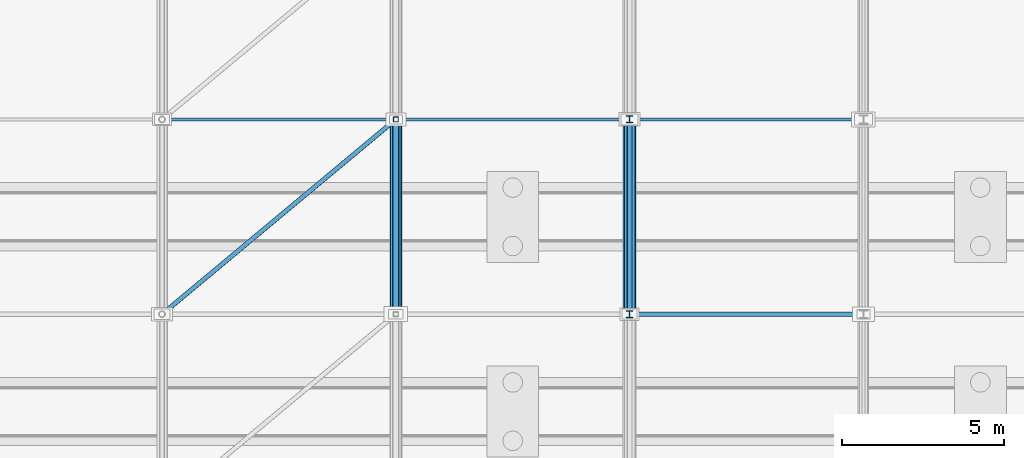
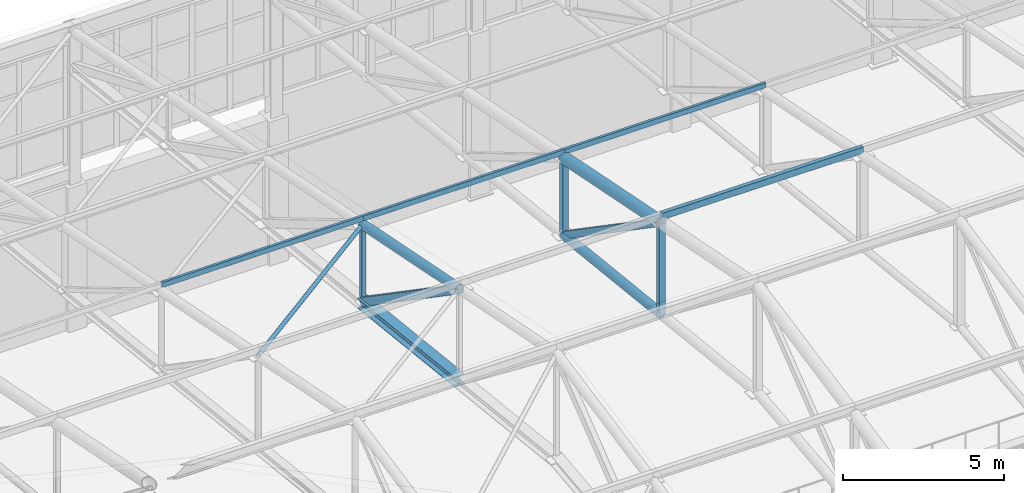
# One storey, part 150 of 293: 14 members.
"""IFC4 building model written with IfcOpenShell, lengths in metres."""

import ifcopenshell
import ifcopenshell.guid

model = None  # the IFC model being written
_history = None  # IfcOwnerHistory: only IFC2X3 demands one
_inside = {}  # id of a spatial element -> (the spatial element, [elements in it])
_under = {}  # id of a project, library or spatial element -> (it, [spatial elements below it])
_declared = {}  # id of a project -> (the project, [libraries it declares])
_typed = {}  # id of a type object -> (the type object, [elements of that type])
_made_of = {}  # id of a material, layer set ... -> (it, [elements and type objects made of it])


def new_model(schema):
    """Start an empty IFC model of exactly this schema.

    Asked for "IFC4X3", IfcOpenShell would pick the latest addendum, in which some entities
    have other attributes; the version numbers below select the first issue.
    IFC2X3 requires an IfcOwnerHistory on every rooted entity: one is made here for all.
    """
    global model, _history
    if schema == "IFC4X3":
        model = ifcopenshell.file(schema_version=(4, 3, 0, 0))
    else:
        model = ifcopenshell.file(schema=schema)
    _inside.clear()
    _under.clear()
    _declared.clear()
    _typed.clear()
    _made_of.clear()
    _history = None
    if model.schema == "IFC2X3":
        org = make("IfcOrganization", Name="unknown")
        user = make(
            "IfcPersonAndOrganization",
            ThePerson=make("IfcPerson", FamilyName="unknown"),
            TheOrganization=org,
        )
        app = make(
            "IfcApplication",
            ApplicationDeveloper=org,
            Version="unknown",
            ApplicationFullName="unknown",
            ApplicationIdentifier="unknown",
        )
        _history = make(
            "IfcOwnerHistory",
            OwningUser=user,
            OwningApplication=app,
            ChangeAction="ADDED",
            CreationDate=0,
        )
    return model


def make(cls, **values):
    """One entity of the class cls with the attributes given. An attribute that is None is left unset."""
    return model.create_entity(
        cls, **{name: value for name, value in values.items() if value is not None}
    )


def rooted(cls, **values):
    """An entity with a GlobalId (a new one), such as an element, a storey or a relation."""
    return make(cls, GlobalId=ifcopenshell.guid.new(), OwnerHistory=_history, **values)


def si_unit(unit_type, name, prefix=None):
    """IfcSIUnit, for example si_unit("LENGTHUNIT", "METRE", prefix="MILLI")."""
    return make("IfcSIUnit", UnitType=unit_type, Prefix=prefix, Name=name)


def assignment(units):
    """IfcUnitAssignment: the units of a project."""
    return None if units is None else make("IfcUnitAssignment", Units=units)


def point(xyz):
    """IfcCartesianPoint."""
    return None if xyz is None else make("IfcCartesianPoint", Coordinates=xyz)


def direction(xyz):
    """IfcDirection."""
    return None if xyz is None else make("IfcDirection", DirectionRatios=xyz)


def frame(location, z_axis=None, x_axis=None):
    """IfcAxis2Placement3D, a coordinate frame: its origin and axes. An axis left out is left unset."""
    return make(
        "IfcAxis2Placement3D",
        Location=point(location),
        Axis=direction(z_axis),
        RefDirection=direction(x_axis),
    )


def frame_2d(location, x_axis=None):
    """IfcAxis2Placement2D, a coordinate frame in the plane: its origin and x axis."""
    return make(
        "IfcAxis2Placement2D", Location=point(location), RefDirection=direction(x_axis)
    )


def origin():
    """The frame at (0, 0, 0) with its axes left unset."""
    return frame((0.0, 0.0, 0.0))


def origin_2d():
    """The frame at (0, 0) in the plane with its x axis left unset."""
    return frame_2d((0.0, 0.0))


def place(relative_to, where):
    """IfcLocalPlacement: puts the frame where relative to a parent placement (None: the world)."""
    return make(
        "IfcLocalPlacement", PlacementRelTo=relative_to, RelativePlacement=where
    )


def context(
    kind, dimensions, precision=None, world=None, true_north=None, identifier=None
):
    """IfcGeometricRepresentationContext, for example the 3D "Model" context."""
    return make(
        "IfcGeometricRepresentationContext",
        ContextIdentifier=identifier,
        ContextType=kind,
        CoordinateSpaceDimension=dimensions,
        Precision=precision,
        WorldCoordinateSystem=world,
        TrueNorth=true_north,
    )


def subcontext(parent, identifier, kind, view, scale=None):
    """IfcGeometricRepresentationSubContext, for example "Body" below "Model"."""
    return make(
        "IfcGeometricRepresentationSubContext",
        ContextIdentifier=identifier,
        ContextType=kind,
        ParentContext=parent,
        TargetScale=scale,
        TargetView=view,
    )


def project(units=None, contexts=None):
    """IfcProject with its units and contexts."""
    return rooted(
        "IfcProject",
        Name="project",
        RepresentationContexts=contexts,
        UnitsInContext=assignment(units),
    )


def spatial(cls, under=None, at=None, **own):
    """A site, building, storey or space (cls), placed at a placement, below another one or the project."""
    s = rooted(cls, ObjectPlacement=at, **own)
    if under is not None:
        _under.setdefault(under.id(), (under, []))[1].append(s)
    return s


def profile(cls, at=None, kind="AREA", **sizes):
    """A parametric profile (cls). Its sizes go by their IFC names, for example OverallWidth=200.0."""
    return make(cls, ProfileType=kind, Position=at, **sizes)


def hollow_rectangle(**sizes):
    """IfcRectangleHollowProfileDef."""
    return profile("IfcRectangleHollowProfileDef", **sizes)


def hollow_circle(**sizes):
    """IfcCircleHollowProfileDef."""
    return profile("IfcCircleHollowProfileDef", **sizes)


def i_section(**sizes):
    """IfcIShapeProfileDef."""
    return profile("IfcIShapeProfileDef", **sizes)


def extrude(swept, where, along, depth):
    """IfcExtrudedAreaSolid: the profile swept, set in the frame where, extruded along a direction by depth."""
    return make(
        "IfcExtrudedAreaSolid",
        SweptArea=swept,
        Position=where,
        ExtrudedDirection=direction(along),
        Depth=depth,
    )


def shape(context_of_items, identifier, shape_type, items):
    """IfcShapeRepresentation: the items that make up one representation, for example the "Body"."""
    return make(
        "IfcShapeRepresentation",
        ContextOfItems=context_of_items,
        RepresentationIdentifier=identifier,
        RepresentationType=shape_type,
        Items=items,
    )


def material(Name=None, Category=None):
    """IfcMaterial."""
    return make("IfcMaterial", Name=Name, Category=Category)


def material_profile(
    of_material, cross_section, Name=None, Category=None, Priority=None
):
    """IfcMaterialProfile: a cross section and its material."""
    return make(
        "IfcMaterialProfile",
        Name=Name,
        Material=of_material,
        Profile=cross_section,
        Priority=Priority,
        Category=Category,
    )


def profile_set(profiles, Name=None, composite=None):
    """IfcMaterialProfileSet."""
    return make(
        "IfcMaterialProfileSet",
        Name=Name,
        MaterialProfiles=profiles,
        CompositeProfile=composite,
    )


def made_of(thing, what):
    """Note that an element or type object is made of a material, layer set ...; save() writes the relation."""
    if what is not None:
        _made_of.setdefault(what.id(), (what, []))[1].append(thing)
    return thing


def type_object(cls, material=None, **own):
    """A type object (cls), such as IfcWallType, which elements share."""
    return made_of(rooted(cls, **own), material)


def element(
    cls,
    number,
    at=None,
    inside=None,
    cuts=None,
    type_object=None,
    material=None,
    context=None,
    identifier="Body",
    shape_type=None,
    held_by="IfcProductDefinitionShape",
    body=None,
    shapes=None,
    **own,
):
    """One element of the class cls, such as IfcWall. Its Tag is "e" and its number.

    at: its placement. inside: the storey or other place that contains it. cuts: it is an
    opening in that element (IfcRelVoidsElement). A single representation is given by context,
    identifier, shape_type and body (its items); several are given by shapes. held_by: the class
    of the entity that holds the representations. save() writes the other relations.
    """
    e = rooted(cls, Tag="e%d" % number, ObjectPlacement=at, **own)
    if body is not None:
        shapes = [shape(context, identifier, shape_type, body)]
    if shapes is not None:
        e.Representation = make(held_by, Representations=shapes)
    if inside is not None:
        _inside.setdefault(inside.id(), (inside, []))[1].append(e)
    if cuts is not None:
        rooted(
            "IfcRelVoidsElement", RelatingBuildingElement=cuts, RelatedOpeningElement=e
        )
    if type_object is not None:
        _typed.setdefault(type_object.id(), (type_object, []))[1].append(e)
    return made_of(e, material)


def aggregate(whole, parts):
    """IfcRelAggregates: a whole, such as a stair, and the parts it consists of."""
    return rooted("IfcRelAggregates", RelatingObject=whole, RelatedObjects=parts)


def save(model, path):
    """Write the relations noted so far, then the file.

    IfcRelAggregates (storeys below a building ...), IfcRelContainedInSpatialStructure (elements
    in a storey), IfcRelDefinesByType, IfcRelAssociatesMaterial and IfcRelDeclares: one each for
    every whole, place, type object, material and project.
    """
    for whole, parts in _under.values():
        aggregate(whole, parts)
    for where, things in _inside.values():
        rooted(
            "IfcRelContainedInSpatialStructure",
            RelatedElements=things,
            RelatingStructure=where,
        )
    for kind, things in _typed.values():
        rooted("IfcRelDefinesByType", RelatedObjects=things, RelatingType=kind)
    for what, things in _made_of.values():
        rooted("IfcRelAssociatesMaterial", RelatedObjects=things, RelatingMaterial=what)
    for by, libraries in _declared.values():
        rooted("IfcRelDeclares", RelatingContext=by, RelatedDefinitions=libraries)
    model.write(path)


model = new_model("IFC4")

# Units and contexts
model_context = context("Model", 3, precision=1e-05, world=origin(), true_north=direction((0.0, 1.0)))
body_context = subcontext(model_context, "Body", "Model", "MODEL_VIEW")
ifc_project = project(units=[si_unit("LENGTHUNIT", "METRE"), si_unit("AREAUNIT", "SQUARE_METRE"), si_unit("VOLUMEUNIT", "CUBIC_METRE"), si_unit("PLANEANGLEUNIT", "RADIAN"), si_unit("MASSUNIT", "GRAM", prefix="KILO")], contexts=[model_context])

# Site, building, storey
site_placement = place(None, origin())
site = spatial("IfcSite", under=ifc_project, at=site_placement, CompositionType="ELEMENT")
building_placement = place(site_placement, origin())
building = spatial("IfcBuilding", under=site, at=building_placement, Name="Kemerveld Promenade Tramway Depot", CompositionType="ELEMENT")
storey_placement = place(building_placement, origin())
storey = spatial("IfcBuildingStorey", under=building, at=storey_placement, Name="L00", CompositionType="ELEMENT", Elevation=0.0)

# Members
ifc_material = material(Name="Steel S355", Category="steel")
ifc_material_profile_1 = material_profile(ifc_material, hollow_rectangle(XDim=0.199951171875, YDim=0.300048828125, WallThickness=0.012451171875, InnerFilletRadius=0.00634765625, OuterFilletRadius=0.018798828125, at=origin_2d()), Name="300x200x12.5 RHS")
ifc_profile_set_1 = profile_set([ifc_material_profile_1], Name="Steel S355")
member_type_1 = type_object("IfcMemberType", Name="MB-M01", PredefinedType="BRACE", material=ifc_profile_set_1)
member_1_placement = place(storey_placement, frame((115.199951171875, 126.0, 11.780029296875), z_axis=(0.0, -0.824370638462, 0.566050395673), x_axis=(1.0, 0.0, 0.0)))
element("IfcMember", 1, at=member_1_placement, inside=storey, type_object=member_type_1, Name="TR-17-DG-07", PredefinedType="BRACE", context=body_context, shape_type="SweptSolid", body=[
    extrude(hollow_rectangle(XDim=0.199951171875, YDim=0.300048828125, WallThickness=0.012451171875, InnerFilletRadius=0.00634765625, OuterFilletRadius=0.018798828125, at=origin_2d()), origin(), (0.0, 0.0, 1.0), 7.2783203125),
])
ifc_material_profile_2 = material_profile(ifc_material, hollow_rectangle(XDim=0.14990234375, YDim=0.25, WallThickness=0.010009765625, InnerFilletRadius=0.0048828125, OuterFilletRadius=0.014892578125, at=origin_2d()), Name="250x150x10.0 RHS")
ifc_profile_set_2 = profile_set([ifc_material_profile_2], Name="Steel S355")
member_type_2 = type_object("IfcMemberType", Name="MB-M02", PredefinedType="BRACE", material=ifc_profile_set_2)
member_2_placement = place(storey_placement, frame((122.39990234375, 126.0, 11.780029296875), z_axis=(0.0, -0.824370638462, 0.566050395673), x_axis=(1.0, 0.0, 0.0)))
element("IfcMember", 2, at=member_2_placement, inside=storey, type_object=member_type_2, Name="TR-18-DG-07", PredefinedType="BRACE", context=body_context, shape_type="SweptSolid", body=[
    extrude(hollow_rectangle(XDim=0.14990234375, YDim=0.25, WallThickness=0.010009765625, InnerFilletRadius=0.0048828125, OuterFilletRadius=0.014892578125, at=origin_2d()), origin(), (0.0, 0.0, 1.0), 7.2783203125),
])
ifc_material_profile_3 = material_profile(ifc_material, i_section(OverallWidth=0.37255859375, OverallDepth=0.3681640625, WebThickness=0.014404296875, FlangeThickness=0.023681640625, FilletRadius=0.01513671875, at=origin_2d()), Name="356x368x177 UC")
ifc_profile_set_3 = profile_set([ifc_material_profile_3], Name="Steel S355")
member_type_3 = type_object("IfcMemberType", Name="MB-M08", PredefinedType="CHORD", material=ifc_profile_set_3)
member_3_placement = place(storey_placement, frame((115.199951171875, 120.0, 12.43994140625), z_axis=(0.0, 0.994005938353, -0.109326092585), x_axis=(-1.0, 0.0, 0.0)))
element("IfcMember", 3, at=member_3_placement, inside=storey, type_object=member_type_3, Name="TR-17-BC-07", PredefinedType="CHORD", context=body_context, shape_type="SweptSolid", body=[
    extrude(i_section(OverallWidth=0.37255859375, OverallDepth=0.3681640625, WebThickness=0.014404296875, FlangeThickness=0.023681640625, FilletRadius=0.01513671875, at=origin_2d()), origin(), (0.0, 0.0, 1.0), 6.0361328125),
])
ifc_material_profile_4 = material_profile(ifc_material, hollow_rectangle(XDim=0.14990234375, YDim=0.25, WallThickness=0.010009765625, InnerFilletRadius=0.0048828125, OuterFilletRadius=0.014892578125, at=origin_2d()), Name="250x150x10.0 RHS")
ifc_profile_set_4 = profile_set([ifc_material_profile_4], Name="Steel S355")
member_type_4 = type_object("IfcMemberType", Name="MB-PR1", PredefinedType="PURLIN", material=ifc_profile_set_4)
member_4_placement = place(storey_placement, frame((122.39990234375, 120.0, 16.14501953125), z_axis=(1.0, 0.0, 0.0), x_axis=(0.0, 1.0, 0.0)))
element("IfcMember", 4, at=member_4_placement, inside=storey, type_object=member_type_4, Name="PUR-V1-06-18", PredefinedType="PURLIN", context=body_context, shape_type="SweptSolid", body=[
    extrude(hollow_rectangle(XDim=0.14990234375, YDim=0.25, WallThickness=0.010009765625, InnerFilletRadius=0.0048828125, OuterFilletRadius=0.014892578125, at=origin_2d()), origin(), (0.0, 0.0, 1.0), 7.2001953125),
])
ifc_material_profile_5 = material_profile(ifc_material, hollow_rectangle(XDim=0.10009765625, YDim=0.199951171875, WallThickness=0.008056640625, InnerFilletRadius=0.00390625, OuterFilletRadius=0.011962890625, at=origin_2d()), Name="200x100x8.0 RHS")
ifc_profile_set_5 = profile_set([ifc_material_profile_5], Name="Steel S355")
member_type_5 = type_object("IfcMemberType", Name="MB-PR2", PredefinedType="PURLIN", material=ifc_profile_set_5)
for number, where, z_axis, x_axis, name in (
    (5, (108.0, 126.0, 14.945068359375), (1.0, 0.0, 0.0), (0.0, 1.0, 0.0), "PUR-V1-07-16"),
    (6, (115.199951171875, 126.0, 14.945068359375), (1.0, 0.0, 0.0), (0.0, 1.0, 0.0), "PUR-V1-07-17"),
):
    element("IfcMember", number, at=place(storey_placement, frame(where, z_axis=z_axis, x_axis=x_axis)), inside=storey, type_object=member_type_5, Name=name, PredefinedType="PURLIN", context=body_context, shape_type="SweptSolid", body=[
        extrude(hollow_rectangle(XDim=0.10009765625, YDim=0.199951171875, WallThickness=0.008056640625, InnerFilletRadius=0.00390625, OuterFilletRadius=0.011962890625, at=origin_2d()), origin(), (0.0, 0.0, 1.0), 7.199951171875),
    ])
member_5_placement = place(storey_placement, frame((122.39990234375, 126.0, 14.945068359375), z_axis=(1.0, 0.0, 0.0), x_axis=(0.0, 1.0, 0.0)))
element("IfcMember", 7, at=member_5_placement, inside=storey, type_object=member_type_5, Name="PUR-V1-07-18", PredefinedType="PURLIN", context=body_context, shape_type="SweptSolid", body=[
    extrude(hollow_rectangle(XDim=0.10009765625, YDim=0.199951171875, WallThickness=0.008056640625, InnerFilletRadius=0.00390625, OuterFilletRadius=0.011962890625, at=origin_2d()), origin(), (0.0, 0.0, 1.0), 7.2001953125),
])
ifc_material_profile_6 = material_profile(ifc_material, hollow_circle(Radius=0.06982421875, WallThickness=0.00634765625, at=origin_2d()), Name="139.7x6.3 CHS")
ifc_profile_set_6 = profile_set([ifc_material_profile_6], Name="Steel S355")
member_type_6 = type_object("IfcMemberType", Name="MB-TB3", PredefinedType="BRACE", material=ifc_profile_set_6)
member_6_placement = place(storey_placement, frame((108.0, 120.0, 15.89990234375), z_axis=(0.761999094998, 0.635003552225, -0.126995542773), x_axis=(-0.640186961885, 0.768219144407, 0.0)))
element("IfcMember", 8, at=member_6_placement, inside=storey, type_object=member_type_6, Name="RBR-V1-06-16", PredefinedType="BRACE", context=body_context, shape_type="SweptSolid", body=[
    extrude(hollow_circle(Radius=0.06982421875, WallThickness=0.00634765625, at=origin_2d()), origin(), (0.0, 0.0, 1.0), 9.44873046875),
])
ifc_material_profile_7 = material_profile(ifc_material, hollow_circle(Radius=0.203125, WallThickness=0.01611328125, at=origin_2d()), Name="406.4x16.0 CHS")
ifc_profile_set_7 = profile_set([ifc_material_profile_7], Name="Steel S355")
member_type_7 = type_object("IfcMemberType", Name="MB-TC1", PredefinedType="CHORD", material=ifc_profile_set_7)
member_7_placement = place(storey_placement, frame((122.39990234375, 120.0, 15.89990234375), z_axis=(0.0, 0.980582210276, -0.196108462057), x_axis=(-1.0, 0.0, 0.0)))
element("IfcMember", 9, at=member_7_placement, inside=storey, type_object=member_type_7, Name="TR-18-TC-07", PredefinedType="CHORD", context=body_context, shape_type="SweptSolid", body=[
    extrude(hollow_circle(Radius=0.203125, WallThickness=0.01611328125, at=origin_2d()), origin(), (0.0, 0.0, 1.0), 6.118896484375),
])
ifc_material_profile_8 = material_profile(ifc_material, hollow_circle(Radius=0.161865234375, WallThickness=0.012451171875, at=origin_2d()), Name="323.9x12.5 CHS")
ifc_profile_set_8 = profile_set([ifc_material_profile_8], Name="Steel S355")
member_type_8 = type_object("IfcMemberType", Name="MB-TC2", PredefinedType="CHORD", material=ifc_profile_set_8)
member_8_placement = place(storey_placement, frame((115.199951171875, 120.0, 15.89990234375), z_axis=(0.0, 0.980582210276, -0.196108462057), x_axis=(-1.0, 0.0, 0.0)))
element("IfcMember", 10, at=member_8_placement, inside=storey, type_object=member_type_8, Name="TR-17-TC-07", PredefinedType="CHORD", context=body_context, shape_type="SweptSolid", body=[
    extrude(hollow_circle(Radius=0.161865234375, WallThickness=0.012451171875, at=origin_2d()), origin(), (0.0, 0.0, 1.0), 6.118896484375),
])
member_9_placement = place(storey_placement, frame((122.39990234375, 120.0, 12.43994140625), z_axis=(0.0, 0.994005938353, -0.109326092585), x_axis=(-1.0, 0.0, 0.0)))
element("IfcMember", 11, at=member_9_placement, inside=storey, type_object=member_type_8, Name="TR-18-BC-07", PredefinedType="CHORD", context=body_context, shape_type="SweptSolid", body=[
    extrude(hollow_circle(Radius=0.161865234375, WallThickness=0.012451171875, at=origin_2d()), origin(), (0.0, 0.0, 1.0), 6.0361328125),
])
ifc_material_profile_9 = material_profile(ifc_material, hollow_rectangle(XDim=0.14990234375, YDim=0.14990234375, WallThickness=0.008056640625, InnerFilletRadius=0.00390625, OuterFilletRadius=0.011962890625, at=origin_2d()), Name="150x150x8.0 SHS")
ifc_profile_set_9 = profile_set([ifc_material_profile_9], Name="Steel S355")
member_type_9 = type_object("IfcMemberType", Name="MB-TP2", PredefinedType="POST", material=ifc_profile_set_9)
member_10_placement = place(storey_placement, frame((115.199951171875, 126.0, 11.780029296875), z_axis=(0.0, 0.0, 1.0), x_axis=(1.0, 0.0, 0.0)))
element("IfcMember", 12, at=member_10_placement, inside=storey, type_object=member_type_9, Name="TR-17-VT-07", PredefinedType="POST", context=body_context, shape_type="SweptSolid", body=[
    extrude(hollow_rectangle(XDim=0.14990234375, YDim=0.14990234375, WallThickness=0.008056640625, InnerFilletRadius=0.00390625, OuterFilletRadius=0.011962890625, at=origin_2d()), origin(), (0.0, 0.0, 1.0), 2.919921875),
])
ifc_material_profile_10 = material_profile(ifc_material, i_section(OverallWidth=0.205810546875, OverallDepth=0.209716796875, WebThickness=0.009521484375, FlangeThickness=0.01416015625, FilletRadius=0.01025390625, at=origin_2d()), Name="203x203x60 UC")
ifc_profile_set_10 = profile_set([ifc_material_profile_10], Name="Steel S355")
member_type_10 = type_object("IfcMemberType", Name="MB-TP3", PredefinedType="POST", material=ifc_profile_set_10)
member_11_placement = place(storey_placement, frame((122.39990234375, 120.0, 12.43994140625), z_axis=(0.0, 0.0, 1.0), x_axis=(1.0, 0.0, 0.0)))
element("IfcMember", 13, at=member_11_placement, inside=storey, type_object=member_type_10, Name="TR-18-VT-06", PredefinedType="POST", context=body_context, shape_type="SweptSolid", body=[
    extrude(i_section(OverallWidth=0.205810546875, OverallDepth=0.209716796875, WebThickness=0.009521484375, FlangeThickness=0.01416015625, FilletRadius=0.01025390625, at=origin_2d()), origin(), (0.0, 0.0, 1.0), 3.4599609375),
])
member_12_placement = place(storey_placement, frame((122.39990234375, 126.0, 11.780029296875), z_axis=(0.0, 0.0, 1.0), x_axis=(1.0, 0.0, 0.0)))
element("IfcMember", 14, at=member_12_placement, inside=storey, type_object=member_type_10, Name="TR-18-VT-07", PredefinedType="POST", context=body_context, shape_type="SweptSolid", body=[
    extrude(i_section(OverallWidth=0.205810546875, OverallDepth=0.209716796875, WebThickness=0.009521484375, FlangeThickness=0.01416015625, FilletRadius=0.01025390625, at=origin_2d()), origin(), (0.0, 0.0, 1.0), 2.919921875),
])

save(model, "model.ifc")
